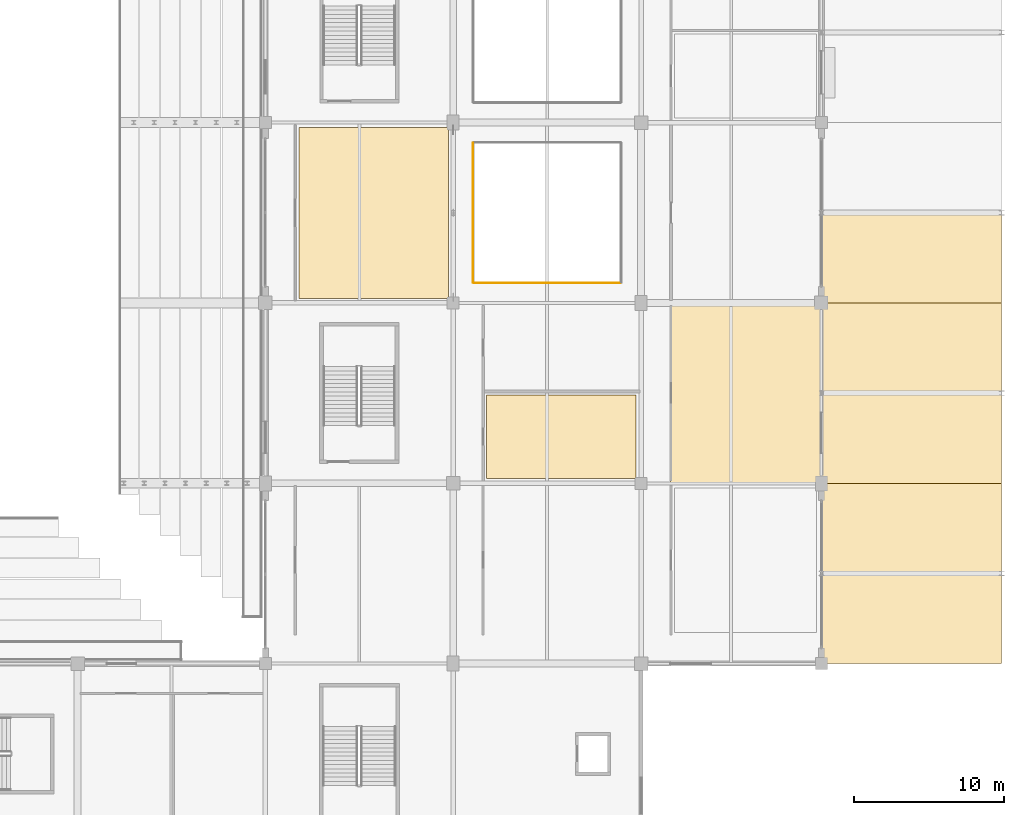
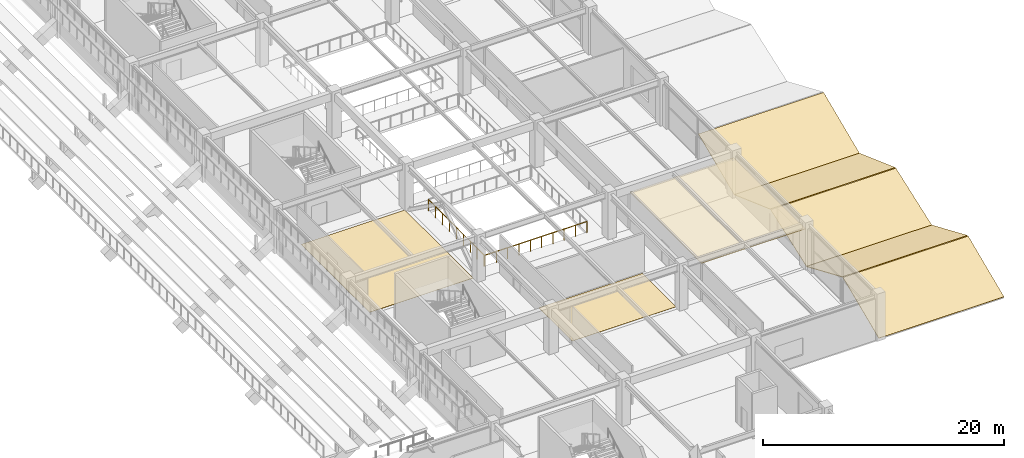
# One storey, part 118 of 134: 8 coverings, 2 railings.
"""IFC4 building model written with IfcOpenShell, lengths in metres."""

from ifc_helpers import new_model, si_unit, direction, frame, origin, origin_2d, place, context, subcontext, project, spatial, polyline, circle, outline, extrude, material, layer, layer_set, type_object, element, save


model = new_model("IFC4")

# Units and contexts
model_context = context("Model", 3, precision=1e-05, world=origin(), true_north=direction((0.0, 1.0)))
body_context = subcontext(model_context, "Body", "Model", "MODEL_VIEW")
ifc_project = project(units=[si_unit("LENGTHUNIT", "METRE"), si_unit("AREAUNIT", "SQUARE_METRE"), si_unit("VOLUMEUNIT", "CUBIC_METRE"), si_unit("PLANEANGLEUNIT", "RADIAN"), si_unit("MASSUNIT", "GRAM", prefix="KILO")], contexts=[model_context])

# Site, building, storey
site_placement = place(None, origin())
site = spatial("IfcSite", under=ifc_project, at=site_placement, CompositionType="ELEMENT")
building_placement = place(site_placement, origin())
building = spatial("IfcBuilding", under=site, at=building_placement, Name="Kazenohara Klinker Stadium", CompositionType="ELEMENT")
storey_placement = place(building_placement, frame((0.0, 0.0, 5.39990234375)))
storey = spatial("IfcBuildingStorey", under=building, at=storey_placement, Name="L01", CompositionType="ELEMENT", Elevation=5.39990234375)

# Coverings
ifc_material_1 = material(Name="Slatted Hokkaido cedar acoustic baffle ceiling", Category="wood")
ifc_layer_1 = layer(ifc_material_1, 0.0400390625)
ifc_layer_set_1 = layer_set([ifc_layer_1], Name="Slatted Hokkaido cedar acoustic baffle ceiling")
covering_type_1 = type_object("IfcCoveringType", Name="COV-CEIL-02", PredefinedType="CEILING", material=ifc_layer_set_1)
covering_1_placement = place(storey_placement, frame((0.0, 0.0, 3.739990234375)))
element("IfcCovering", 1, at=covering_1_placement, inside=storey, type_object=covering_type_1, Name="Suspended acoustic ceiling CL02 Youth Sports Coaching Classroom L01-1604A", PredefinedType="CEILING", context=body_context, shape_type="SweptSolid", body=[
    extrude(outline(polyline([(201.9599609375, 48.0400390625), (211.93994140625, 48.0400390625), (211.93994140625, 59.9599609375), (201.9599609375, 59.9599609375), (201.9599609375, 48.0400390625)])), origin(), (0.0, 0.0, 1.0), 0.0400390625),
])
ifc_material_2 = material(Name="Slip-resistant honed basalt terrazzo flooring", Category="masonry")
ifc_layer_2 = layer(ifc_material_2, 0.02001953125)
ifc_layer_set_2 = layer_set([ifc_layer_2], Name="Slip-resistant honed basalt terrazzo flooring")
covering_type_2 = type_object("IfcCoveringType", Name="COV-FLR-01", PredefinedType="FLOORING", material=ifc_layer_set_2)
covering_2_placement = place(storey_placement, origin())
element("IfcCovering", 2, at=covering_2_placement, inside=storey, type_object=covering_type_2, Name="Interior floor finish FL01 Community Martial Arts Fitness Studio L01-1405A", PredefinedType="FLOORING", context=body_context, shape_type="SweptSolid", body=[
    extrude(outline(polyline([(177.22998046875, 60.31005859375), (187.169921875, 60.31005859375), (187.169921875, 71.68994140625), (177.22998046875, 71.68994140625), (177.22998046875, 60.31005859375)])), origin(), (0.0, 0.0, 1.0), 0.02001953125),
])
ifc_material_3 = material(Name="Cushioned EPDM sports rubber flooring", Category="rubber")
ifc_layer_3 = layer(ifc_material_3, 0.014892578125)
ifc_layer_set_3 = layer_set([ifc_layer_3], Name="Cushioned EPDM sports rubber flooring")
covering_type_3 = type_object("IfcCoveringType", Name="COV-FLR-02", PredefinedType="FLOORING", material=ifc_layer_set_3)
covering_3_placement = place(storey_placement, origin())
element("IfcCovering", 3, at=covering_3_placement, inside=storey, type_object=covering_type_3, Name="Interior floor finish FL02 Family Sensory Hospitality Lounge L01-1504A", PredefinedType="FLOORING", context=body_context, shape_type="SweptSolid", body=[
    extrude(outline(polyline([(189.72998046875, 48.31005859375), (199.669921875, 48.31005859375), (199.669921875, 53.88671875), (189.72998046875, 53.88671875), (189.72998046875, 48.31005859375)])), origin(), (0.0, 0.0, 1.0), 0.01513671875),
])
ifc_material_4 = material(Name="Insulated standing-seam copper roofing", Category="metal")
ifc_layer_4 = layer(ifc_material_4, 0.050048828125)
ifc_layer_set_4 = layer_set([ifc_layer_4], Name="Insulated standing-seam copper roofing")
covering_type_4 = type_object("IfcCoveringType", Name="COV-ROOF-01", PredefinedType="ROOFING", material=ifc_layer_set_4)
for number, where, z_axis, x_axis, name in (
    (4, (212.0, 36.0, -0.02978515625), (0.0, -0.393896539344, 0.919154783642), (1.0, 0.0, 0.0), "Standing-seam copper stepped wing roofing L01-A 18/D"),
    (5, (212.0, 42.050048828125, 2.52001953125), (0.0, 0.393896539344, 0.919154783642), (1.0, 0.0, 0.0), "Standing-seam copper stepped wing roofing L01-B 18/D"),
):
    element("IfcCovering", number, at=place(storey_placement, frame(where, z_axis=z_axis, x_axis=x_axis)), inside=storey, type_object=covering_type_4, Name=name, PredefinedType="ROOFING", context=body_context, shape_type="SweptSolid", body=[
        extrude(outline(polyline([(0.0, 0.0), (12.0, 0.0), (12.0, 6.473285324477336), (0.0, 6.473285324477336), (0.0, 0.0)])), origin(), (0.0, 0.0, -1.0), 0.050048828125),
    ])
for number, where, z_axis, x_axis, name in (
    (6, (212.0, 48.0, -0.02978515625), (0.0, -0.3398274788, 0.940487790805), (1.0, 0.0, 0.0), "Standing-seam copper stepped wing roofing L01-A 18/E"),
    (7, (212.0, 54.050048828125, 2.1201171875), (0.0, 0.3398274788, 0.940487790805), (1.0, 0.0, 0.0), "Standing-seam copper stepped wing roofing L01-B 18/E"),
):
    element("IfcCovering", number, at=place(storey_placement, frame(where, z_axis=z_axis, x_axis=x_axis)), inside=storey, type_object=covering_type_4, Name=name, PredefinedType="ROOFING", context=body_context, shape_type="SweptSolid", body=[
        extrude(outline(polyline([(0.0, 0.0), (12.0, 0.0), (12.0, 6.326452326174476), (0.0, 6.326452326174476), (0.0, 0.0)])), origin(), (0.0, 0.0, -1.0), 0.050048828125),
    ])
covering_4_placement = place(storey_placement, frame((212.0, 60.0, -0.02978515625), z_axis=(0.0, -0.393896539344, 0.919154783642), x_axis=(1.0, 0.0, 0.0)))
element("IfcCovering", 8, at=covering_4_placement, inside=storey, type_object=covering_type_4, Name="Standing-seam copper stepped wing roofing L01-A 18/F", PredefinedType="ROOFING", context=body_context, shape_type="SweptSolid", body=[
    extrude(outline(polyline([(0.0, 0.0), (12.0, 0.0), (12.0, 6.473285324477336), (0.0, 6.473285324477336), (0.0, 0.0)])), origin(), (0.0, 0.0, -1.0), 0.050048828125),
])

# Railings
ifc_material_5 = material(Name="Tempered laminated glass and stainless steel 316 balustrade", Category="steel")
ifc_layer_5 = layer(ifc_material_5, 0.090087890625)
ifc_layer_set_5 = layer_set([ifc_layer_5], Name="Tempered laminated glass and stainless steel 316 balustrade")
railing_type = type_object("IfcRailingType", Name="RL-BAL-1150", PredefinedType="BALUSTRADE", material=ifc_layer_set_5)
railing_1_placement = place(storey_placement, frame((188.8701171875, 61.320068359375, 0.0)))
element("IfcRailing", 9, at=railing_1_placement, inside=storey, type_object=railing_type, Name="Double-height atrium gallery balustrade BL01-V05-S", PredefinedType="BALUSTRADE", context=body_context, shape_type="SweptSolid", body=[
    extrude(circle(Radius=0.02392578125, at=origin_2d()), frame((0.0, 0.0, 1.1259765625), z_axis=(1.0, 0.0, 0.0), x_axis=(0.0, 1.0, 0.0)), (0.0, 0.0, 1.0), 9.759765625),
    extrude(circle(Radius=0.02099609375, at=origin_2d()), origin(), (0.0, 0.0, 1.0), 1.101806640625),
    extrude(circle(Radius=0.02099609375, at=origin_2d()), frame((1.08447265625, 0.0, 0.0)), (0.0, 0.0, 1.0), 1.101806640625),
    extrude(circle(Radius=0.02099609375, at=origin_2d()), frame((2.1689453125, 0.0, 0.0)), (0.0, 0.0, 1.0), 1.101806640625),
    extrude(circle(Radius=0.02099609375, at=origin_2d()), frame((3.253173828125, 0.0, 0.0)), (0.0, 0.0, 1.0), 1.101806640625),
    extrude(circle(Radius=0.02099609375, at=origin_2d()), frame((4.337646484375, 0.0, 0.0)), (0.0, 0.0, 1.0), 1.101806640625),
    extrude(circle(Radius=0.02099609375, at=origin_2d()), frame((5.422119140625, 0.0, 0.0)), (0.0, 0.0, 1.0), 1.101806640625),
    extrude(circle(Radius=0.02099609375, at=origin_2d()), frame((6.506591796875, 0.0, 0.0)), (0.0, 0.0, 1.0), 1.101806640625),
    extrude(circle(Radius=0.02099609375, at=origin_2d()), frame((7.5908203125, 0.0, 0.0)), (0.0, 0.0, 1.0), 1.101806640625),
    extrude(circle(Radius=0.02099609375, at=origin_2d()), frame((8.67529296875, 0.0, 0.0)), (0.0, 0.0, 1.0), 1.101806640625),
    extrude(circle(Radius=0.02099609375, at=origin_2d()), frame((9.759765625, 0.0, 0.0)), (0.0, 0.0, 1.0), 1.101806640625),
])
railing_2_placement = place(storey_placement, frame((188.820068359375, 61.3701171875, 0.0)))
element("IfcRailing", 10, at=railing_2_placement, inside=storey, type_object=railing_type, Name="Double-height atrium gallery balustrade BL01-V05-W", PredefinedType="BALUSTRADE", context=body_context, shape_type="SweptSolid", body=[
    extrude(circle(Radius=0.02392578125, at=origin_2d()), frame((0.0, 0.0, 1.1259765625), z_axis=(0.0, 1.0, 0.0), x_axis=(-1.0, 0.0, 0.0)), (0.0, 0.0, 1.0), 9.259765625),
    extrude(circle(Radius=0.02099609375, at=origin_2d()), origin(), (0.0, 0.0, 1.0), 1.101806640625),
    extrude(circle(Radius=0.02099609375, at=origin_2d()), frame((0.0, 1.157470703125, 0.0)), (0.0, 0.0, 1.0), 1.101806640625),
    extrude(circle(Radius=0.02099609375, at=origin_2d()), frame((0.0, 2.31494140625, 0.0)), (0.0, 0.0, 1.0), 1.101806640625),
    extrude(circle(Radius=0.02099609375, at=origin_2d()), frame((0.0, 3.472412109375, 0.0)), (0.0, 0.0, 1.0), 1.101806640625),
    extrude(circle(Radius=0.02099609375, at=origin_2d()), frame((0.0, 4.6298828125, 0.0)), (0.0, 0.0, 1.0), 1.101806640625),
    extrude(circle(Radius=0.02099609375, at=origin_2d()), frame((0.0, 5.787353515625, 0.0)), (0.0, 0.0, 1.0), 1.101806640625),
    extrude(circle(Radius=0.02099609375, at=origin_2d()), frame((0.0, 6.94482421875, 0.0)), (0.0, 0.0, 1.0), 1.101806640625),
    extrude(circle(Radius=0.02099609375, at=origin_2d()), frame((0.0, 8.102294921875, 0.0)), (0.0, 0.0, 1.0), 1.101806640625),
    extrude(circle(Radius=0.02099609375, at=origin_2d()), frame((0.0, 9.259765625, 0.0)), (0.0, 0.0, 1.0), 1.101806640625),
])

save(model, "model.ifc")
